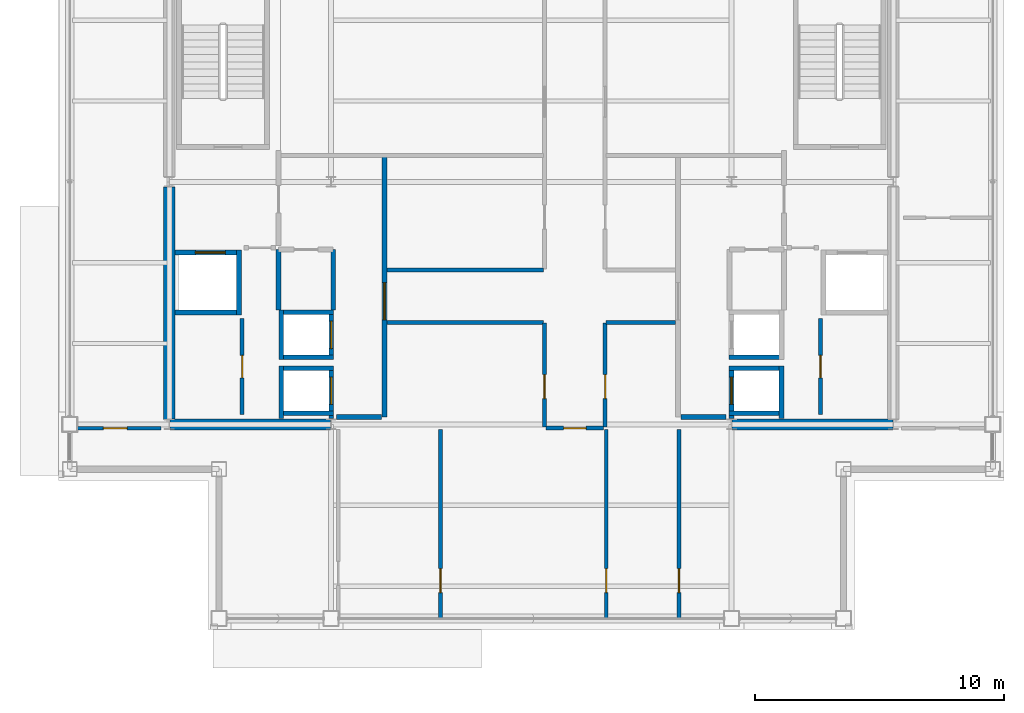
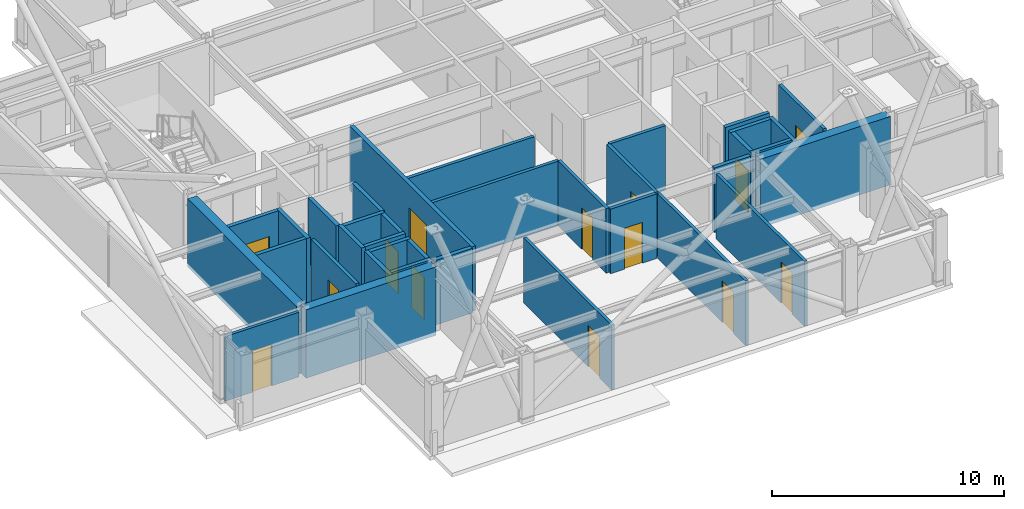
# One storey, part 21 of 24: 36 walls, 14 doors, 14 openings.
"""IFC4 building model written with IfcOpenShell, lengths in metres."""

from ifc_helpers import new_model, si_unit, direction, frame, frame_2d, origin, place, context, subcontext, project, spatial, rectangle, extrude, material, layer, layer_set, type_object, element, fill, save


model = new_model("IFC4")

# Units and contexts
model_context = context("Model", 3, precision=1e-05, world=origin(), true_north=direction((0.0, 1.0)))
body_context = subcontext(model_context, "Body", "Model", "MODEL_VIEW")
ifc_project = project(units=[si_unit("LENGTHUNIT", "METRE"), si_unit("AREAUNIT", "SQUARE_METRE"), si_unit("VOLUMEUNIT", "CUBIC_METRE"), si_unit("PLANEANGLEUNIT", "RADIAN"), si_unit("MASSUNIT", "GRAM", prefix="KILO")], contexts=[model_context])

# Site, building, storey
site_placement = place(None, origin())
site = spatial("IfcSite", under=ifc_project, at=site_placement, CompositionType="ELEMENT")
building_placement = place(site_placement, origin())
building = spatial("IfcBuilding", under=site, at=building_placement, Name="Brelmoor Portico Tower", CompositionType="ELEMENT")
storey_placement = place(building_placement, frame((0.0, 0.0, 268.800048828125)))
storey = spatial("IfcBuildingStorey", under=building, at=storey_placement, Name="L71", CompositionType="ELEMENT", Elevation=268.800048828125)

# Walls
ifc_material_1 = material(Name="Concrete C50", Category="concrete")
ifc_layer_1 = layer(ifc_material_1, 0.449951171875)
ifc_layer_set_1 = layer_set([ifc_layer_1], Name="Concrete C50")
wall_type_1 = type_object("IfcWallType", Name="WL-CORE-450", PredefinedType="SHEAR", material=ifc_layer_set_1)
wall_1_placement = place(storey_placement, frame((-14.530029296875, -9.75, -0.199951171875), z_axis=(0.0, 0.0, 1.0), x_axis=(1.0, 0.0, 0.0)))
element("IfcWall", 1, at=wall_1_placement, inside=storey, type_object=wall_type_1, Name="L71 WC South Shear Wall", PredefinedType="SHEAR", context=body_context, shape_type="SweptSolid", body=[
    extrude(rectangle(XDim=6.4599609375, YDim=0.449951171875, at=frame_2d((3.22998046875, 0.0))), origin(), (0.0, 0.0, 1.0), 3.599853515625),
])
wall_2_placement = place(storey_placement, frame((-14.550048828125, -9.550048828125, -0.199951171875), z_axis=(0.0, 0.0, 1.0), x_axis=(0.0, 1.0, 0.0)))
element("IfcWall", 2, at=wall_2_placement, inside=storey, type_object=wall_type_1, Name="L71 WC Outer South Shear Wall", PredefinedType="SHEAR", context=body_context, shape_type="SweptSolid", body=[
    extrude(rectangle(XDim=9.35009765625, YDim=0.449951171875, at=frame_2d((4.675048828125, 0.0))), origin(), (0.0, 0.0, 1.0), 3.599853515625),
])
wall_3_placement = place(storey_placement, frame((8.070068359375, -9.75, -0.199951171875), z_axis=(0.0, 0.0, 1.0), x_axis=(1.0, 0.0, 0.0)))
element("IfcWall", 3, at=wall_3_placement, inside=storey, type_object=wall_type_1, Name="L71 EC South Shear Wall", PredefinedType="SHEAR", context=body_context, shape_type="SweptSolid", body=[
    extrude(rectangle(XDim=6.4599609375, YDim=0.449951171875, at=frame_2d((3.22998046875, 0.0))), origin(), (0.0, 0.0, 1.0), 3.599853515625),
])

# Wall, opening, door
ifc_material_2 = material(Name="Wet-Area Moisture-Resistant Partition", Category="gypsum")
ifc_layer_2 = layer(ifc_material_2, 0.14990234375)
ifc_layer_set_2 = layer_set([ifc_layer_2], Name="Wet-Area Moisture-Resistant Partition")
wall_type_2 = type_object("IfcWallType", Name="WL-PART-150", PredefinedType="PARTITIONING", material=ifc_layer_set_2)
wall_4_placement = place(storey_placement, frame((-3.651123046875, -17.56005859375, 0.0), z_axis=(0.0, 0.0, 1.0), x_axis=(0.0, 1.0, 0.0)))
wall_4 = element("IfcWall", 4, at=wall_4_placement, inside=storey, type_object=wall_type_2, Name="L71 South Suite Partition 2", PredefinedType="PARTITIONING", context=body_context, shape_type="SweptSolid", body=[
    extrude(rectangle(XDim=7.60009765625, YDim=0.14990234375, at=frame_2d((3.800048828125, 0.0))), origin(), (0.0, 0.0, 1.0), 3.39990234375),
])
opening_1_placement = place(wall_4_placement, frame((1.050048828125, 0.0, 0.0)))
opening_1 = element("IfcOpeningElement", 5, at=opening_1_placement, cuts=wall_4, Name="Opening D-IN2", PredefinedType="OPENING", context=body_context, shape_type="SweptSolid", body=[
    extrude(rectangle(XDim=0.9599609375, YDim=2.179931640625, at=frame_2d((0.47998046875, 1.08984375))), frame((0.0, 0.0849609375, 0.0), z_axis=(0.0, -1.0, 0.0), x_axis=(1.0, 0.0, 0.0)), (0.0, 0.0, 1.0), 0.169921875),
])
ifc_material_3 = material(Name="Lacquered Timber Suite Door", Category="wood")
door_type_1 = type_object("IfcDoorType", Name="DR-INT-950", OperationType="NOTDEFINED", PredefinedType="DOOR", material=ifc_material_3)
door_1_placement = place(opening_1_placement, origin())
door_1 = element("IfcDoor", 6, at=door_1_placement, inside=storey, type_object=door_type_1, Name="D-2924 L71 South Suite Connecting Door 2", OperationType="SINGLE_SWING_RIGHT", OverallHeight=2.179931640625, OverallWidth=0.9599609375, PredefinedType="DOOR", context=body_context, shape_type="SweptSolid", body=[
    extrude(rectangle(XDim=0.9599609375, YDim=2.179931640625, at=frame_2d((0.47998046875, 1.08984375))), frame((0.0, 0.02490234375, 0.0), z_axis=(0.0, -1.0, 0.0), x_axis=(1.0, 0.0, 0.0)), (0.0, 0.0, 1.0), 0.050048828125),
])
fill(opening_1, door_1)

wall_5_placement = place(storey_placement, frame((3.0126953125, -17.56005859375, 0.0), z_axis=(0.0, 0.0, 1.0), x_axis=(0.0, 1.0, 0.0)))
wall_5 = element("IfcWall", 7, at=wall_5_placement, inside=storey, type_object=wall_type_2, Name="L71 South Suite Partition 3", PredefinedType="PARTITIONING", context=body_context, shape_type="SweptSolid", body=[
    extrude(rectangle(XDim=7.60009765625, YDim=0.14990234375, at=frame_2d((3.800048828125, 0.0))), origin(), (0.0, 0.0, 1.0), 3.39990234375),
])
opening_2_placement = place(wall_5_placement, frame((1.050048828125, 0.0, 0.0)))
opening_2 = element("IfcOpeningElement", 8, at=opening_2_placement, cuts=wall_5, Name="Opening D-IN2", PredefinedType="OPENING", context=body_context, shape_type="SweptSolid", body=[
    extrude(rectangle(XDim=0.9599609375, YDim=2.179931640625, at=frame_2d((0.47998046875, 1.08984375))), frame((0.0, 0.0849609375, 0.0), z_axis=(0.0, -1.0, 0.0), x_axis=(1.0, 0.0, 0.0)), (0.0, 0.0, 1.0), 0.169921875),
])
door_2_placement = place(opening_2_placement, origin())
door_2 = element("IfcDoor", 9, at=door_2_placement, inside=storey, type_object=door_type_1, Name="D-2925 L71 South Suite Connecting Door 3", OperationType="SINGLE_SWING_LEFT", OverallHeight=2.179931640625, OverallWidth=0.9599609375, PredefinedType="DOOR", context=body_context, shape_type="SweptSolid", body=[
    extrude(rectangle(XDim=0.9599609375, YDim=2.179931640625, at=frame_2d((0.47998046875, 1.08984375))), frame((0.0, 0.02490234375, 0.0), z_axis=(0.0, -1.0, 0.0), x_axis=(1.0, 0.0, 0.0)), (0.0, 0.0, 1.0), 0.050048828125),
])
fill(opening_2, door_2)

wall_6_placement = place(storey_placement, frame((5.93310546875, -17.56005859375, 0.0), z_axis=(0.0, 0.0, 1.0), x_axis=(0.0, 1.0, 0.0)))
wall_6 = element("IfcWall", 10, at=wall_6_placement, inside=storey, type_object=wall_type_2, Name="L71 South Suite Partition 4", PredefinedType="PARTITIONING", context=body_context, shape_type="SweptSolid", body=[
    extrude(rectangle(XDim=7.60009765625, YDim=0.14990234375, at=frame_2d((3.800048828125, 0.0))), origin(), (0.0, 0.0, 1.0), 3.39990234375),
])
opening_3_placement = place(wall_6_placement, frame((1.050048828125, 0.0, 0.0)))
opening_3 = element("IfcOpeningElement", 11, at=opening_3_placement, cuts=wall_6, Name="Opening D-IN2", PredefinedType="OPENING", context=body_context, shape_type="SweptSolid", body=[
    extrude(rectangle(XDim=0.9599609375, YDim=2.179931640625, at=frame_2d((0.47998046875, 1.08984375))), frame((0.0, 0.0849609375, 0.0), z_axis=(0.0, -1.0, 0.0), x_axis=(1.0, 0.0, 0.0)), (0.0, 0.0, 1.0), 0.169921875),
])
door_3_placement = place(opening_3_placement, origin())
door_3 = element("IfcDoor", 12, at=door_3_placement, inside=storey, type_object=door_type_1, Name="D-2926 L71 South Suite Connecting Door 4", OperationType="SINGLE_SWING_RIGHT", OverallHeight=2.179931640625, OverallWidth=0.9599609375, PredefinedType="DOOR", context=body_context, shape_type="SweptSolid", body=[
    extrude(rectangle(XDim=0.9599609375, YDim=2.179931640625, at=frame_2d((0.47998046875, 1.08984375))), frame((0.0, 0.02490234375, 0.0), z_axis=(0.0, -1.0, 0.0), x_axis=(1.0, 0.0, 0.0)), (0.0, 0.0, 1.0), 0.050048828125),
])
fill(opening_3, door_3)

wall_7_placement = place(storey_placement, frame((-18.56005859375, -9.89990234375, 0.0), z_axis=(0.0, 0.0, 1.0), x_axis=(1.0, 0.0, 0.0)))
wall_7 = element("IfcWall", 13, at=wall_7_placement, inside=storey, type_object=wall_type_2, Name="L71 South Wing Closure WL", PredefinedType="PARTITIONING", context=body_context, shape_type="SweptSolid", body=[
    extrude(rectangle(XDim=3.68017578125, YDim=0.14990234375, at=frame_2d((1.840087890625, 0.0))), origin(), (0.0, 0.0, 1.0), 3.39990234375),
])
opening_4_placement = place(wall_7_placement, frame((1.360107421875, 0.0, 0.0)))
opening_4 = element("IfcOpeningElement", 14, at=opening_4_placement, cuts=wall_7, Name="Opening D-IN2", PredefinedType="OPENING", context=body_context, shape_type="SweptSolid", body=[
    extrude(rectangle(XDim=0.9599609375, YDim=2.179931640625, at=frame_2d((0.47998046875, 1.08984375))), frame((0.0, 0.0849609375, 0.0), z_axis=(0.0, -1.0, 0.0), x_axis=(1.0, 0.0, 0.0)), (0.0, 0.0, 1.0), 0.169921875),
])
door_4_placement = place(opening_4_placement, origin())
door_4 = element("IfcDoor", 15, at=door_4_placement, inside=storey, type_object=door_type_1, Name="D-2930 L71 WL Wing South Suite Door", OperationType="SINGLE_SWING_RIGHT", OverallHeight=2.179931640625, OverallWidth=0.9599609375, PredefinedType="DOOR", context=body_context, shape_type="SweptSolid", body=[
    extrude(rectangle(XDim=0.9599609375, YDim=2.179931640625, at=frame_2d((0.47998046875, 1.08984375))), frame((0.0, 0.02490234375, 0.0), z_axis=(0.0, -1.0, 0.0), x_axis=(1.0, 0.0, 0.0)), (0.0, 0.0, 1.0), 0.050048828125),
])
fill(opening_4, door_4)

ifc_material_4 = material(Name="Twin-Frame Acoustic Partition", Category="gypsum")
ifc_layer_3 = layer(ifc_material_4, 0.159912109375)
ifc_layer_set_3 = layer_set([ifc_layer_3], Name="Twin-Frame Acoustic Partition")
wall_type_3 = type_object("IfcWallType", Name="WL-PART-160", PredefinedType="PARTITIONING", material=ifc_layer_set_3)
wall_8_placement = place(storey_placement, frame((-11.6201171875, -9.35009765625, 0.0), z_axis=(0.0, 0.0, 1.0), x_axis=(0.0, 1.0, 0.0)))
wall_8 = element("IfcWall", 16, at=wall_8_placement, inside=storey, type_object=wall_type_3, Name="L71 W Core Service Front Wall", PredefinedType="PARTITIONING", context=body_context, shape_type="SweptSolid", body=[
    extrude(rectangle(XDim=3.85009765625, YDim=0.159912109375, at=frame_2d((1.925048828125, 0.0))), origin(), (0.0, 0.0, 1.0), 3.39990234375),
])
opening_5_placement = place(wall_8_placement, frame((1.47509765625, 0.0, 0.0)))
opening_5 = element("IfcOpeningElement", 17, at=opening_5_placement, cuts=wall_8, Name="Opening D-IN1", PredefinedType="OPENING", context=body_context, shape_type="SweptSolid", body=[
    extrude(rectangle(XDim=0.89990234375, YDim=2.14990234375, at=frame_2d((0.449951171875, 1.074951171875))), frame((0.0, 0.08984375, 0.0), z_axis=(0.0, -1.0, 0.0), x_axis=(1.0, 0.0, 0.0)), (0.0, 0.0, 1.0), 0.179931640625),
])
door_type_2 = type_object("IfcDoorType", Name="DR-INT-900", OperationType="NOTDEFINED", PredefinedType="DOOR", material=ifc_material_3)
door_5_placement = place(opening_5_placement, origin())
door_5 = element("IfcDoor", 18, at=door_5_placement, inside=storey, type_object=door_type_2, Name="D-2911 L71 W Accessible WC Door", OperationType="SINGLE_SWING_RIGHT", OverallHeight=2.14990234375, OverallWidth=0.89990234375, PredefinedType="DOOR", context=body_context, shape_type="SweptSolid", body=[
    extrude(rectangle(XDim=0.89990234375, YDim=2.14990234375, at=frame_2d((0.449951171875, 1.074951171875))), frame((0.0, 0.02490234375, 0.0), z_axis=(0.0, -1.0, 0.0), x_axis=(1.0, 0.0, 0.0)), (0.0, 0.0, 1.0), 0.050048828125),
])
fill(opening_5, door_5)

wall_9_placement = place(storey_placement, frame((11.6201171875, -9.35009765625, 0.0), z_axis=(0.0, 0.0, 1.0), x_axis=(0.0, 1.0, 0.0)))
wall_9 = element("IfcWall", 19, at=wall_9_placement, inside=storey, type_object=wall_type_3, Name="L71 E Core Service Front Wall", PredefinedType="PARTITIONING", context=body_context, shape_type="SweptSolid", body=[
    extrude(rectangle(XDim=3.85009765625, YDim=0.159912109375, at=frame_2d((1.925048828125, 0.0))), origin(), (0.0, 0.0, 1.0), 3.39990234375),
])
opening_6_placement = place(wall_9_placement, frame((1.47509765625, 0.0, 0.0)))
opening_6 = element("IfcOpeningElement", 20, at=opening_6_placement, cuts=wall_9, Name="Opening D-IN1", PredefinedType="OPENING", context=body_context, shape_type="SweptSolid", body=[
    extrude(rectangle(XDim=0.89990234375, YDim=2.14990234375, at=frame_2d((0.449951171875, 1.074951171875))), frame((0.0, 0.08984375, 0.0), z_axis=(0.0, -1.0, 0.0), x_axis=(1.0, 0.0, 0.0)), (0.0, 0.0, 1.0), 0.179931640625),
])
door_6_placement = place(opening_6_placement, origin())
door_6 = element("IfcDoor", 21, at=door_6_placement, inside=storey, type_object=door_type_2, Name="D-2908 L71 E Male WC Door", OperationType="SINGLE_SWING_RIGHT", OverallHeight=2.14990234375, OverallWidth=0.89990234375, PredefinedType="DOOR", context=body_context, shape_type="SweptSolid", body=[
    extrude(rectangle(XDim=0.89990234375, YDim=2.14990234375, at=frame_2d((0.449951171875, 1.074951171875))), frame((0.0, 0.02490234375, 0.0), z_axis=(0.0, -1.0, 0.0), x_axis=(1.0, 0.0, 0.0)), (0.0, 0.0, 1.0), 0.050048828125),
])
fill(opening_6, door_6)

# Wall
wall_10_placement = place(storey_placement, frame((-5.800048828125, -3.550048828125, 0.0), z_axis=(0.0, 0.0, 1.0), x_axis=(1.0, 0.0, 0.0)))
element("IfcWall", 22, at=wall_10_placement, inside=storey, type_object=wall_type_3, Name="L71 West Pantry South Wall", PredefinedType="PARTITIONING", context=body_context, shape_type="SweptSolid", body=[
    extrude(rectangle(XDim=6.2900390625, YDim=0.159912109375, at=frame_2d((3.14501953125, 0.0))), origin(), (0.0, 0.0, 1.0), 3.39990234375),
])

# Wall, opening, door
wall_11_placement = place(storey_placement, frame((0.530029296875, -9.860107421875, 0.0), z_axis=(0.0, 0.0, 1.0), x_axis=(0.0, 1.0, 0.0)))
wall_11 = element("IfcWall", 23, at=wall_11_placement, inside=storey, type_object=wall_type_3, Name="L71 South Cross West Wall", PredefinedType="PARTITIONING", context=body_context, shape_type="SweptSolid", body=[
    extrude(rectangle(XDim=4.18017578125, YDim=0.159912109375, at=frame_2d((2.090087890625, 0.0))), origin(), (0.0, 0.0, 1.0), 3.39990234375),
])
opening_7_placement = place(wall_11_placement, frame((1.14990234375, 0.0, 0.0)))
opening_7 = element("IfcOpeningElement", 24, at=opening_7_placement, cuts=wall_11, Name="Opening D-IN2", PredefinedType="OPENING", context=body_context, shape_type="SweptSolid", body=[
    extrude(rectangle(XDim=0.9599609375, YDim=2.179931640625, at=frame_2d((0.47998046875, 1.08984375))), frame((0.0, 0.08984375, 0.0), z_axis=(0.0, -1.0, 0.0), x_axis=(1.0, 0.0, 0.0)), (0.0, 0.0, 1.0), 0.179931640625),
])
door_7_placement = place(opening_7_placement, origin())
door_7 = element("IfcDoor", 25, at=door_7_placement, inside=storey, type_object=door_type_1, Name="D-2905 L71 South-West Archive Room Door", OperationType="SINGLE_SWING_LEFT", OverallHeight=2.179931640625, OverallWidth=0.9599609375, PredefinedType="DOOR", context=body_context, shape_type="SweptSolid", body=[
    extrude(rectangle(XDim=0.9599609375, YDim=2.179931640625, at=frame_2d((0.47998046875, 1.08984375))), frame((0.0, 0.02490234375, 0.0), z_axis=(0.0, -1.0, 0.0), x_axis=(1.0, 0.0, 0.0)), (0.0, 0.0, 1.0), 0.050048828125),
])
fill(opening_7, door_7)

wall_12_placement = place(storey_placement, frame((2.969970703125, -9.860107421875, 0.0), z_axis=(0.0, 0.0, 1.0), x_axis=(0.0, 1.0, 0.0)))
wall_12 = element("IfcWall", 26, at=wall_12_placement, inside=storey, type_object=wall_type_3, Name="L71 South Cross East Wall", PredefinedType="PARTITIONING", context=body_context, shape_type="SweptSolid", body=[
    extrude(rectangle(XDim=4.18017578125, YDim=0.159912109375, at=frame_2d((2.090087890625, 0.0))), origin(), (0.0, 0.0, 1.0), 3.39990234375),
])
opening_8_placement = place(wall_12_placement, frame((1.14990234375, 0.0, 0.0)))
opening_8 = element("IfcOpeningElement", 27, at=opening_8_placement, cuts=wall_12, Name="Opening D-IN2", PredefinedType="OPENING", context=body_context, shape_type="SweptSolid", body=[
    extrude(rectangle(XDim=0.9599609375, YDim=2.179931640625, at=frame_2d((0.47998046875, 1.08984375))), frame((0.0, 0.08984375, 0.0), z_axis=(0.0, -1.0, 0.0), x_axis=(1.0, 0.0, 0.0)), (0.0, 0.0, 1.0), 0.179931640625),
])
door_8_placement = place(opening_8_placement, origin())
door_8 = element("IfcDoor", 28, at=door_8_placement, inside=storey, type_object=door_type_1, Name="D-2904 L71 South-East Partner Office Door", OperationType="SINGLE_SWING_RIGHT", OverallHeight=2.179931640625, OverallWidth=0.9599609375, PredefinedType="DOOR", context=body_context, shape_type="SweptSolid", body=[
    extrude(rectangle(XDim=0.9599609375, YDim=2.179931640625, at=frame_2d((0.47998046875, 1.08984375))), frame((0.0, 0.02490234375, 0.0), z_axis=(0.0, -1.0, 0.0), x_axis=(1.0, 0.0, 0.0)), (0.0, 0.0, 1.0), 0.050048828125),
])
fill(opening_8, door_8)

# Walls
wall_13_placement = place(storey_placement, frame((-5.800048828125, -5.64990234375, 0.0), z_axis=(0.0, 0.0, 1.0), x_axis=(1.0, 0.0, 0.0)))
element("IfcWall", 29, at=wall_13_placement, inside=storey, type_object=wall_type_3, Name="L71 South-West Chamber Top Wall", PredefinedType="PARTITIONING", context=body_context, shape_type="SweptSolid", body=[
    extrude(rectangle(XDim=6.2900390625, YDim=0.159912109375, at=frame_2d((3.14501953125, 0.0))), origin(), (0.0, 0.0, 1.0), 3.39990234375),
])
wall_14_placement = place(storey_placement, frame((3.010009765625, -5.64990234375, 0.0), z_axis=(0.0, 0.0, 1.0), x_axis=(1.0, 0.0, 0.0)))
element("IfcWall", 30, at=wall_14_placement, inside=storey, type_object=wall_type_3, Name="L71 South-East Chamber Top Wall", PredefinedType="PARTITIONING", context=body_context, shape_type="SweptSolid", body=[
    extrude(rectangle(XDim=2.7900390625, YDim=0.159912109375, at=frame_2d((1.39501953125, 0.0))), origin(), (0.0, 0.0, 1.0), 3.39990234375),
])

# Wall, opening, door
wall_15_placement = place(storey_placement, frame((0.60009765625, -9.89990234375, 0.0), z_axis=(0.0, 0.0, 1.0), x_axis=(1.0, 0.0, 0.0)))
wall_15 = element("IfcWall", 31, at=wall_15_placement, inside=storey, type_object=wall_type_3, Name="L71 South Corridor Partition", PredefinedType="PARTITIONING", context=body_context, shape_type="SweptSolid", body=[
    extrude(rectangle(XDim=2.2998046875, YDim=0.159912109375, at=frame_2d((1.14990234375, 0.0))), origin(), (0.0, 0.0, 1.0), 3.39990234375),
])
opening_9_placement = place(wall_15_placement, frame((0.699951171875, 0.0, 0.0)))
opening_9 = element("IfcOpeningElement", 32, at=opening_9_placement, cuts=wall_15, Name="Opening D-IN1", PredefinedType="OPENING", context=body_context, shape_type="SweptSolid", body=[
    extrude(rectangle(XDim=0.89990234375, YDim=2.14990234375, at=frame_2d((0.449951171875, 1.074951171875))), frame((0.0, 0.08984375, 0.0), z_axis=(0.0, -1.0, 0.0), x_axis=(1.0, 0.0, 0.0)), (0.0, 0.0, 1.0), 0.179931640625),
])
door_9_placement = place(opening_9_placement, origin())
door_9 = element("IfcDoor", 33, at=door_9_placement, inside=storey, type_object=door_type_2, Name="D-2922 L71 South First-Aid Consultation 3 Door", OperationType="SINGLE_SWING_LEFT", OverallHeight=2.14990234375, OverallWidth=0.89990234375, PredefinedType="DOOR", context=body_context, shape_type="SweptSolid", body=[
    extrude(rectangle(XDim=0.89990234375, YDim=2.14990234375, at=frame_2d((0.449951171875, 1.074951171875))), frame((0.0, 0.02490234375, 0.0), z_axis=(0.0, -1.0, 0.0), x_axis=(1.0, 0.0, 0.0)), (0.0, 0.0, 1.0), 0.050048828125),
])
fill(opening_9, door_9)

ifc_material_5 = material(Name="Double-Stud Gypsum Fire Partition", Category="gypsum")
ifc_layer_4 = layer(ifc_material_5, 0.199951171875)
ifc_layer_set_4 = layer_set([ifc_layer_4], Name="Double-Stud Gypsum Fire Partition")
wall_type_4 = type_object("IfcWallType", Name="WL-PART-200", PredefinedType="PARTITIONING", material=ifc_layer_set_4)
wall_16_placement = place(storey_placement, frame((-5.89990234375, -9.449951171875, 0.0), z_axis=(0.0, 0.0, 1.0), x_axis=(0.0, 1.0, 0.0)))
wall_16 = element("IfcWall", 34, at=wall_16_placement, inside=storey, type_object=wall_type_4, Name="L71 W Core Lobby Compartment Wall", PredefinedType="PARTITIONING", context=body_context, shape_type="SweptSolid", body=[
    extrude(rectangle(XDim=10.5, YDim=0.199951171875, at=frame_2d((5.25, 0.0))), origin(), (0.0, 0.0, 1.0), 3.39990234375),
])
opening_10_placement = place(wall_16_placement, frame((3.89990234375, 0.0, 0.0)))
opening_10 = element("IfcOpeningElement", 35, at=opening_10_placement, cuts=wall_16, Name="Opening D-LB1", PredefinedType="OPENING", context=body_context, shape_type="SweptSolid", body=[
    extrude(rectangle(XDim=1.5, YDim=2.199951171875, at=frame_2d((0.75, 1.10009765625))), frame((0.0, 0.10986328125, 0.0), z_axis=(0.0, -1.0, 0.0), x_axis=(1.0, 0.0, 0.0)), (0.0, 0.0, 1.0), 0.219970703125),
])
ifc_material_6 = material(Name="Double-Leaf Glazed Steel Fire Door", Category="steel")
door_type_3 = type_object("IfcDoorType", Name="DR-LOBBY-1500", OperationType="NOTDEFINED", PredefinedType="DOOR", material=ifc_material_6)
door_10_placement = place(opening_10_placement, origin())
door_10 = element("IfcDoor", 36, at=door_10_placement, inside=storey, type_object=door_type_3, Name="D-2917 L71 W Lift Lobby Main Door", OperationType="DOUBLE_DOOR_SINGLE_SWING", OverallHeight=2.199951171875, OverallWidth=1.5, PredefinedType="DOOR", context=body_context, shape_type="SweptSolid", body=[
    extrude(rectangle(XDim=1.5, YDim=2.199951171875, at=frame_2d((0.75, 1.10009765625))), frame((0.0, 0.02490234375, 0.0), z_axis=(0.0, -1.0, 0.0), x_axis=(1.0, 0.0, 0.0)), (0.0, 0.0, 1.0), 0.050048828125),
])
fill(opening_10, door_10)

# Walls
wall_17_placement = place(storey_placement, frame((-6.02001953125, -9.449951171875, 0.0), z_axis=(0.0, 0.0, 1.0), x_axis=(-1.0, 0.0, 0.0)))
element("IfcWall", 37, at=wall_17_placement, inside=storey, type_object=wall_type_4, Name="L71 W Lift Lobby South End Wall", PredefinedType="PARTITIONING", context=body_context, shape_type="SweptSolid", body=[
    extrude(rectangle(XDim=1.800048828125, YDim=0.199951171875, at=frame_2d((0.89990234375, 0.0))), origin(), (0.0, 0.0, 1.0), 3.39990234375),
])
for number, where, z_axis, x_axis, name in (
    (38, (-7.9599609375, -5.159912109375, 0.0), (0.0, 0.0, 1.0), (0.0, 1.0, 0.0), "L71 W Electrical Switchgear Closet Inner Wall"),
    (39, (-10.159912109375, -5.159912109375, 0.0), (0.0, 0.0, 1.0), (0.0, 1.0, 0.0), "L71 W Electrical Switchgear Closet Outer Wall"),
):
    element("IfcWall", number, at=place(storey_placement, frame(where, z_axis=z_axis, x_axis=x_axis)), inside=storey, type_object=wall_type_4, Name=name, PredefinedType="PARTITIONING", context=body_context, shape_type="SweptSolid", body=[
        extrude(rectangle(XDim=2.43994140625, YDim=0.199951171875, at=frame_2d((1.219970703125, 0.0))), origin(), (0.0, 0.0, 1.0), 3.39990234375),
    ])
wall_18_placement = place(storey_placement, frame((6.02001953125, -9.449951171875, 0.0), z_axis=(0.0, 0.0, 1.0), x_axis=(1.0, 0.0, 0.0)))
element("IfcWall", 40, at=wall_18_placement, inside=storey, type_object=wall_type_4, Name="L71 E Lift Lobby South End Wall", PredefinedType="PARTITIONING", context=body_context, shape_type="SweptSolid", body=[
    extrude(rectangle(XDim=1.800048828125, YDim=0.199951171875, at=frame_2d((0.89990234375, 0.0))), origin(), (0.0, 0.0, 1.0), 3.39990234375),
])

# Wall, opening, door
ifc_material_7 = material(Name="Precast Concrete C40", Category="concrete")
ifc_layer_5 = layer(ifc_material_7, 0.18994140625)
ifc_layer_set_5 = layer_set([ifc_layer_5], Name="Precast Concrete C40")
wall_type_5 = type_object("IfcWallType", Name="WL-SHAFT-180", PredefinedType="SOLIDWALL", material=ifc_layer_set_5)
wall_19_placement = place(storey_placement, frame((-8.044921875, -9.52001953125, -0.199951171875), z_axis=(0.0, 0.0, 1.0), x_axis=(0.0, 1.0, 0.0)))
wall_19 = element("IfcWall", 41, at=wall_19_placement, inside=storey, type_object=wall_type_5, Name="L71 Lift PH1 Hoistway Front Wall", PredefinedType="SOLIDWALL", context=body_context, shape_type="SweptSolid", body=[
    extrude(rectangle(XDim=2.1201171875, YDim=0.18994140625, at=frame_2d((1.06005859375, 0.0))), origin(), (0.0, 0.0, 1.0), 3.599853515625),
])
opening_11_placement = place(wall_19_placement, frame((0.570068359375, 0.0, 0.199951171875)))
opening_11 = element("IfcOpeningElement", 42, at=opening_11_placement, cuts=wall_19, Name="Opening LD-01", PredefinedType="OPENING", context=body_context, shape_type="SweptSolid", body=[
    extrude(rectangle(XDim=1.10009765625, YDim=2.199951171875, at=frame_2d((0.550048828125, 1.10009765625))), frame((0.0, 0.10498046875, 0.0), z_axis=(0.0, -1.0, 0.0), x_axis=(1.0, 0.0, 0.0)), (0.0, 0.0, 1.0), 0.2099609375),
])
ifc_material_8 = material(Name="Brushed Stainless Steel Sliding Lift Door", Category="steel")
door_type_4 = type_object("IfcDoorType", Name="DR-LIFT-1100", OperationType="NOTDEFINED", PredefinedType="DOOR", material=ifc_material_8)
door_11_placement = place(opening_11_placement, origin())
door_11 = element("IfcDoor", 43, at=door_11_placement, inside=storey, type_object=door_type_4, Name="D-2934 L71 Lift PH1 Sliding Landing Door", OperationType="SLIDING_TO_LEFT", OverallHeight=2.199951171875, OverallWidth=1.10009765625, PredefinedType="DOOR", context=body_context, shape_type="SweptSolid", body=[
    extrude(rectangle(XDim=1.10009765625, YDim=2.199951171875, at=frame_2d((0.550048828125, 1.10009765625))), frame((0.0, 0.02490234375, 0.0), z_axis=(0.0, -1.0, 0.0), x_axis=(1.0, 0.0, 0.0)), (0.0, 0.0, 1.0), 0.050048828125),
])
fill(opening_11, door_11)

# Walls
wall_20_placement = place(storey_placement, frame((-10.054931640625, -9.52001953125, -0.199951171875), z_axis=(0.0, 0.0, 1.0), x_axis=(0.0, 1.0, 0.0)))
element("IfcWall", 44, at=wall_20_placement, inside=storey, type_object=wall_type_5, Name="L71 Lift PH1 Hoistway Back Wall", PredefinedType="SOLIDWALL", context=body_context, shape_type="SweptSolid", body=[
    extrude(rectangle(XDim=2.1201171875, YDim=0.18994140625, at=frame_2d((1.06005859375, 0.0))), origin(), (0.0, 0.0, 1.0), 3.599853515625),
])
for number, where, z_axis, x_axis, name in (
    (45, (-10.14990234375, -7.4951171875, -0.199951171875), (0.0, 0.0, 1.0), (1.0, 0.0, 0.0), "L71 Lift PH1 Hoistway North Wall"),
    (46, (-10.14990234375, -9.304931640625, -0.199951171875), (0.0, 0.0, 1.0), (1.0, 0.0, 0.0), "L71 Lift PH1 Hoistway South Wall"),
):
    element("IfcWall", number, at=place(storey_placement, frame(where, z_axis=z_axis, x_axis=x_axis)), inside=storey, type_object=wall_type_5, Name=name, PredefinedType="SOLIDWALL", context=body_context, shape_type="SweptSolid", body=[
        extrude(rectangle(XDim=2.199951171875, YDim=0.18994140625, at=frame_2d((1.10009765625, 0.0))), origin(), (0.0, 0.0, 1.0), 3.599853515625),
    ])

# Wall, opening, door
wall_21_placement = place(storey_placement, frame((-8.044921875, -7.14990234375, -0.199951171875), z_axis=(0.0, 0.0, 1.0), x_axis=(0.0, 1.0, 0.0)))
wall_21 = element("IfcWall", 47, at=wall_21_placement, inside=storey, type_object=wall_type_5, Name="L71 Lift PH2 Hoistway Front Wall", PredefinedType="SOLIDWALL", context=body_context, shape_type="SweptSolid", body=[
    extrude(rectangle(XDim=2.0, YDim=0.18994140625, at=frame_2d((1.0, 0.0))), origin(), (0.0, 0.0, 1.0), 3.599853515625),
])
opening_12_placement = place(wall_21_placement, frame((0.449951171875, 0.0, 0.199951171875)))
opening_12 = element("IfcOpeningElement", 48, at=opening_12_placement, cuts=wall_21, Name="Opening LD-01", PredefinedType="OPENING", context=body_context, shape_type="SweptSolid", body=[
    extrude(rectangle(XDim=1.10009765625, YDim=2.199951171875, at=frame_2d((0.550048828125, 1.10009765625))), frame((0.0, 0.10498046875, 0.0), z_axis=(0.0, -1.0, 0.0), x_axis=(1.0, 0.0, 0.0)), (0.0, 0.0, 1.0), 0.2099609375),
])
door_12_placement = place(opening_12_placement, origin())
door_12 = element("IfcDoor", 49, at=door_12_placement, inside=storey, type_object=door_type_4, Name="D-2935 L71 Lift PH2 Sliding Landing Door", OperationType="SLIDING_TO_LEFT", OverallHeight=2.199951171875, OverallWidth=1.10009765625, PredefinedType="DOOR", context=body_context, shape_type="SweptSolid", body=[
    extrude(rectangle(XDim=1.10009765625, YDim=2.199951171875, at=frame_2d((0.550048828125, 1.10009765625))), frame((0.0, 0.02490234375, 0.0), z_axis=(0.0, -1.0, 0.0), x_axis=(1.0, 0.0, 0.0)), (0.0, 0.0, 1.0), 0.050048828125),
])
fill(opening_12, door_12)

# Walls
wall_22_placement = place(storey_placement, frame((-10.054931640625, -7.14990234375, -0.199951171875), z_axis=(0.0, 0.0, 1.0), x_axis=(0.0, 1.0, 0.0)))
element("IfcWall", 50, at=wall_22_placement, inside=storey, type_object=wall_type_5, Name="L71 Lift PH2 Hoistway Back Wall", PredefinedType="SOLIDWALL", context=body_context, shape_type="SweptSolid", body=[
    extrude(rectangle(XDim=2.0, YDim=0.18994140625, at=frame_2d((1.0, 0.0))), origin(), (0.0, 0.0, 1.0), 3.599853515625),
])
for number, where, z_axis, x_axis, name in (
    (51, (-10.14990234375, -5.2451171875, -0.199951171875), (0.0, 0.0, 1.0), (1.0, 0.0, 0.0), "L71 Lift PH2 Hoistway North Wall"),
    (52, (-10.14990234375, -7.054931640625, -0.199951171875), (0.0, 0.0, 1.0), (1.0, 0.0, 0.0), "L71 Lift PH2 Hoistway South Wall"),
):
    element("IfcWall", number, at=place(storey_placement, frame(where, z_axis=z_axis, x_axis=x_axis)), inside=storey, type_object=wall_type_5, Name=name, PredefinedType="SOLIDWALL", context=body_context, shape_type="SweptSolid", body=[
        extrude(rectangle(XDim=2.199951171875, YDim=0.18994140625, at=frame_2d((1.10009765625, 0.0))), origin(), (0.0, 0.0, 1.0), 3.599853515625),
    ])

# Wall, opening, door
wall_23_placement = place(storey_placement, frame((8.044921875, -9.52001953125, -0.199951171875), z_axis=(0.0, 0.0, 1.0), x_axis=(0.0, 1.0, 0.0)))
wall_23 = element("IfcWall", 53, at=wall_23_placement, inside=storey, type_object=wall_type_5, Name="L71 Lift PH3 Hoistway Front Wall", PredefinedType="SOLIDWALL", context=body_context, shape_type="SweptSolid", body=[
    extrude(rectangle(XDim=2.1201171875, YDim=0.18994140625, at=frame_2d((1.06005859375, 0.0))), origin(), (0.0, 0.0, 1.0), 3.599853515625),
])
opening_13_placement = place(wall_23_placement, frame((0.570068359375, 0.0, 0.199951171875)))
opening_13 = element("IfcOpeningElement", 54, at=opening_13_placement, cuts=wall_23, Name="Opening LD-01", PredefinedType="OPENING", context=body_context, shape_type="SweptSolid", body=[
    extrude(rectangle(XDim=1.10009765625, YDim=2.199951171875, at=frame_2d((0.550048828125, 1.10009765625))), frame((0.0, 0.10498046875, 0.0), z_axis=(0.0, -1.0, 0.0), x_axis=(1.0, 0.0, 0.0)), (0.0, 0.0, 1.0), 0.2099609375),
])
door_13_placement = place(opening_13_placement, origin())
door_13 = element("IfcDoor", 55, at=door_13_placement, inside=storey, type_object=door_type_4, Name="D-2936 L71 Lift PH3 Sliding Landing Door", OperationType="SLIDING_TO_LEFT", OverallHeight=2.199951171875, OverallWidth=1.10009765625, PredefinedType="DOOR", context=body_context, shape_type="SweptSolid", body=[
    extrude(rectangle(XDim=1.10009765625, YDim=2.199951171875, at=frame_2d((0.550048828125, 1.10009765625))), frame((0.0, 0.02490234375, 0.0), z_axis=(0.0, -1.0, 0.0), x_axis=(1.0, 0.0, 0.0)), (0.0, 0.0, 1.0), 0.050048828125),
])
fill(opening_13, door_13)

# Walls
wall_24_placement = place(storey_placement, frame((10.054931640625, -9.52001953125, -0.199951171875), z_axis=(0.0, 0.0, 1.0), x_axis=(0.0, 1.0, 0.0)))
element("IfcWall", 56, at=wall_24_placement, inside=storey, type_object=wall_type_5, Name="L71 Lift PH3 Hoistway Back Wall", PredefinedType="SOLIDWALL", context=body_context, shape_type="SweptSolid", body=[
    extrude(rectangle(XDim=2.1201171875, YDim=0.18994140625, at=frame_2d((1.06005859375, 0.0))), origin(), (0.0, 0.0, 1.0), 3.599853515625),
])
for number, where, z_axis, x_axis, name in (
    (57, (7.949951171875, -7.4951171875, -0.199951171875), (0.0, 0.0, 1.0), (1.0, 0.0, 0.0), "L71 Lift PH3 Hoistway North Wall"),
    (58, (7.949951171875, -9.304931640625, -0.199951171875), (0.0, 0.0, 1.0), (1.0, 0.0, 0.0), "L71 Lift PH3 Hoistway South Wall"),
    (59, (7.949951171875, -7.054931640625, -0.199951171875), (0.0, 0.0, 1.0), (1.0, 0.0, 0.0), "L71 Lift PH4 Hoistway South Wall"),
):
    element("IfcWall", number, at=place(storey_placement, frame(where, z_axis=z_axis, x_axis=x_axis)), inside=storey, type_object=wall_type_5, Name=name, PredefinedType="SOLIDWALL", context=body_context, shape_type="SweptSolid", body=[
        extrude(rectangle(XDim=2.199951171875, YDim=0.18994140625, at=frame_2d((1.10009765625, 0.0))), origin(), (0.0, 0.0, 1.0), 3.599853515625),
    ])

# Wall, opening, door
wall_25_placement = place(storey_placement, frame((-14.330078125, -2.844970703125, -0.199951171875), z_axis=(0.0, 0.0, 1.0), x_axis=(1.0, 0.0, 0.0)))
wall_25 = element("IfcWall", 60, at=wall_25_placement, inside=storey, type_object=wall_type_5, Name="L71 Lift FF1 Hoistway Front Wall", PredefinedType="SOLIDWALL", context=body_context, shape_type="SweptSolid", body=[
    extrude(rectangle(XDim=2.68017578125, YDim=0.18994140625, at=frame_2d((1.340087890625, 0.0))), origin(), (0.0, 0.0, 1.0), 3.599853515625),
])
opening_14_placement = place(wall_25_placement, frame((0.830078125, 0.0, 0.199951171875)))
opening_14 = element("IfcOpeningElement", 61, at=opening_14_placement, cuts=wall_25, Name="Opening LD-02", PredefinedType="OPENING", context=body_context, shape_type="SweptSolid", body=[
    extrude(rectangle(XDim=1.199951171875, YDim=2.199951171875, at=frame_2d((0.60009765625, 1.10009765625))), frame((0.0, 0.10498046875, 0.0), z_axis=(0.0, -1.0, 0.0), x_axis=(1.0, 0.0, 0.0)), (0.0, 0.0, 1.0), 0.2099609375),
])
ifc_material_9 = material(Name="Brushed Stainless Steel Firefighting Lift Door", Category="steel")
door_type_5 = type_object("IfcDoorType", Name="DR-LIFT-1200", OperationType="NOTDEFINED", PredefinedType="DOOR", material=ifc_material_9)
door_14_placement = place(opening_14_placement, origin())
door_14 = element("IfcDoor", 62, at=door_14_placement, inside=storey, type_object=door_type_5, Name="D-2932 L71 Lift FF1 Sliding Landing Door", OperationType="SLIDING_TO_LEFT", OverallHeight=2.199951171875, OverallWidth=1.199951171875, PredefinedType="DOOR", context=body_context, shape_type="SweptSolid", body=[
    extrude(rectangle(XDim=1.199951171875, YDim=2.199951171875, at=frame_2d((0.60009765625, 1.10009765625))), frame((0.0, 0.02490234375, 0.0), z_axis=(0.0, -1.0, 0.0), x_axis=(1.0, 0.0, 0.0)), (0.0, 0.0, 1.0), 0.050048828125),
])
fill(opening_14, door_14)

# Walls
wall_26_placement = place(storey_placement, frame((-14.330078125, -5.2548828125, -0.199951171875), z_axis=(0.0, 0.0, 1.0), x_axis=(1.0, 0.0, 0.0)))
element("IfcWall", 63, at=wall_26_placement, inside=storey, type_object=wall_type_5, Name="L71 Firefighting Lift FF1 South Wall", PredefinedType="SOLIDWALL", context=body_context, shape_type="SweptSolid", body=[
    extrude(rectangle(XDim=2.68017578125, YDim=0.18994140625, at=frame_2d((1.340087890625, 0.0))), origin(), (0.0, 0.0, 1.0), 3.599853515625),
])
wall_27_placement = place(storey_placement, frame((-11.7451171875, -5.35009765625, -0.199951171875), z_axis=(0.0, 0.0, 1.0), x_axis=(0.0, 1.0, 0.0)))
element("IfcWall", 64, at=wall_27_placement, inside=storey, type_object=wall_type_5, Name="L71 Firefighting Lift FF1 Inner Wall", PredefinedType="SOLIDWALL", context=body_context, shape_type="SweptSolid", body=[
    extrude(rectangle(XDim=2.60009765625, YDim=0.18994140625, at=frame_2d((1.300048828125, 0.0))), origin(), (0.0, 0.0, 1.0), 3.599853515625),
])

save(model, "model.ifc")
